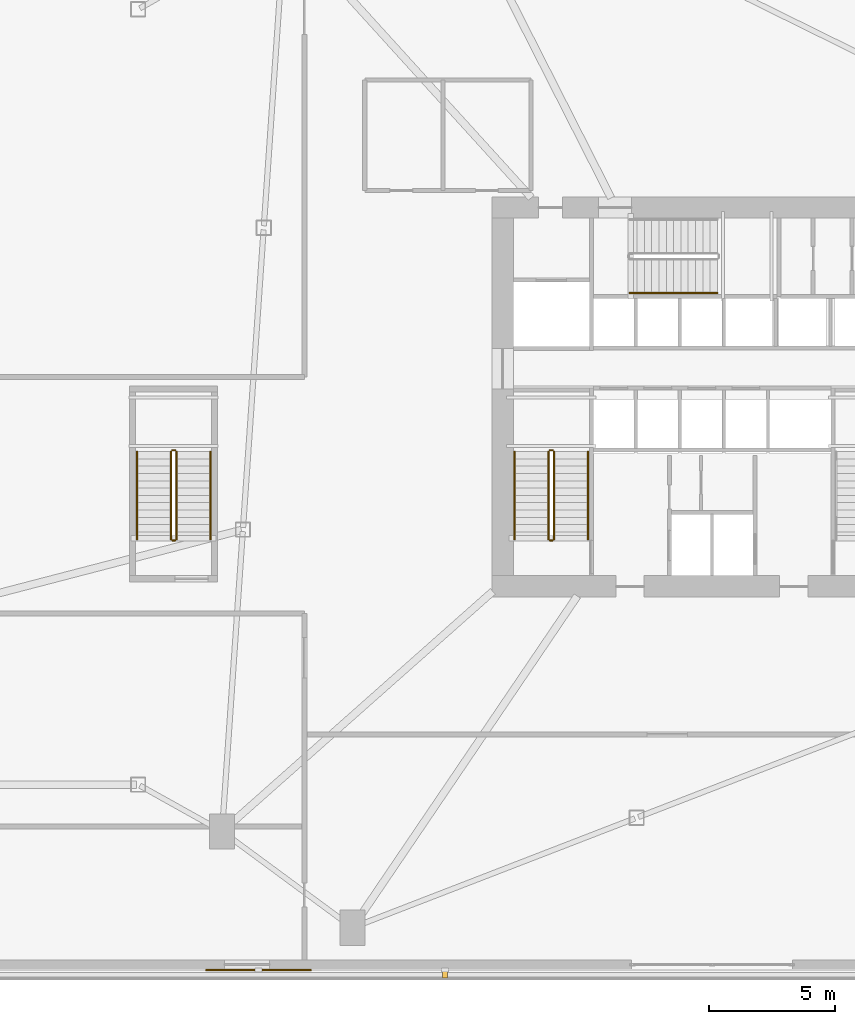
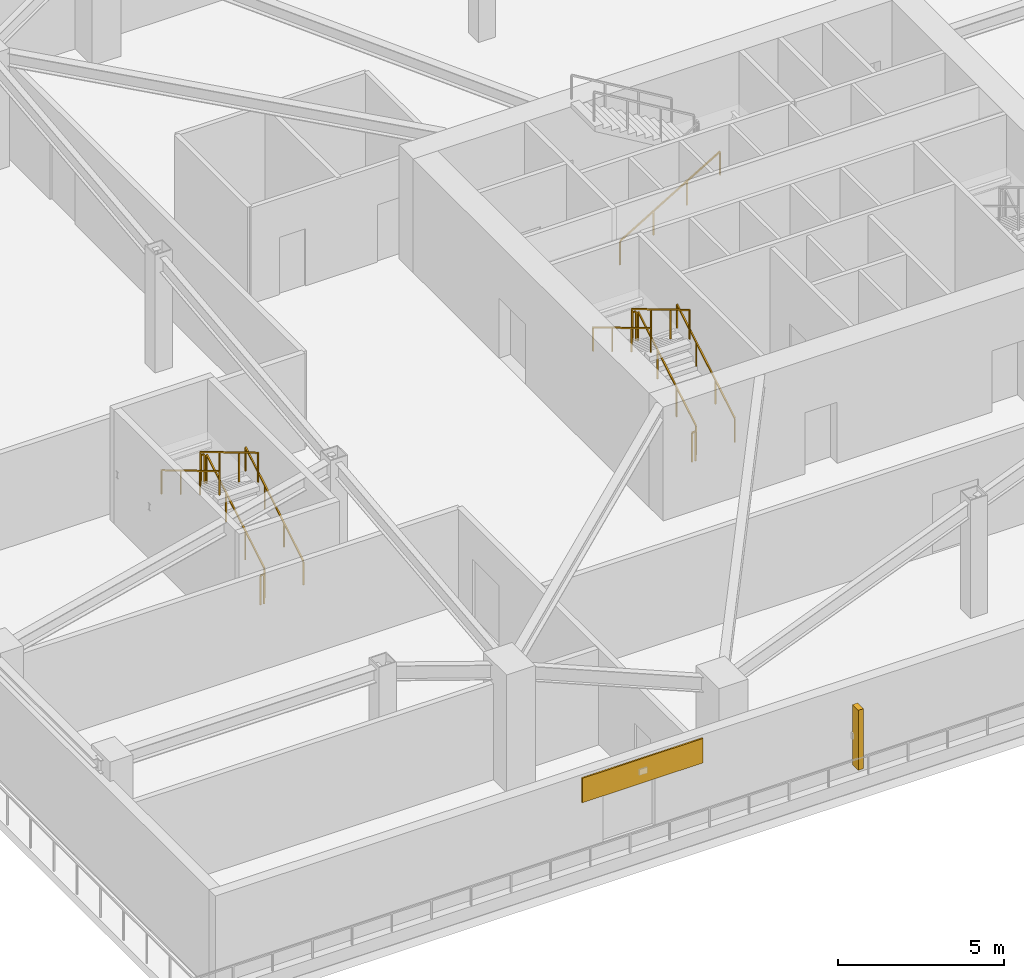
# One storey, part 12 of 16: 13 railings, 1 covering, 1 shading device.
"""IFC4 building model written with IfcOpenShell, lengths in metres."""

import ifcopenshell
import ifcopenshell.guid

model = None  # the IFC model being written
_history = None  # IfcOwnerHistory: only IFC2X3 demands one
_inside = {}  # id of a spatial element -> (the spatial element, [elements in it])
_under = {}  # id of a project, library or spatial element -> (it, [spatial elements below it])
_declared = {}  # id of a project -> (the project, [libraries it declares])
_typed = {}  # id of a type object -> (the type object, [elements of that type])
_made_of = {}  # id of a material, layer set ... -> (it, [elements and type objects made of it])


def new_model(schema):
    """Start an empty IFC model of exactly this schema.

    Asked for "IFC4X3", IfcOpenShell would pick the latest addendum, in which some entities
    have other attributes; the version numbers below select the first issue.
    IFC2X3 requires an IfcOwnerHistory on every rooted entity: one is made here for all.
    """
    global model, _history
    if schema == "IFC4X3":
        model = ifcopenshell.file(schema_version=(4, 3, 0, 0))
    else:
        model = ifcopenshell.file(schema=schema)
    _inside.clear()
    _under.clear()
    _declared.clear()
    _typed.clear()
    _made_of.clear()
    _history = None
    if model.schema == "IFC2X3":
        org = make("IfcOrganization", Name="unknown")
        user = make(
            "IfcPersonAndOrganization",
            ThePerson=make("IfcPerson", FamilyName="unknown"),
            TheOrganization=org,
        )
        app = make(
            "IfcApplication",
            ApplicationDeveloper=org,
            Version="unknown",
            ApplicationFullName="unknown",
            ApplicationIdentifier="unknown",
        )
        _history = make(
            "IfcOwnerHistory",
            OwningUser=user,
            OwningApplication=app,
            ChangeAction="ADDED",
            CreationDate=0,
        )
    return model


def make(cls, **values):
    """One entity of the class cls with the attributes given. An attribute that is None is left unset."""
    return model.create_entity(
        cls, **{name: value for name, value in values.items() if value is not None}
    )


def rooted(cls, **values):
    """An entity with a GlobalId (a new one), such as an element, a storey or a relation."""
    return make(cls, GlobalId=ifcopenshell.guid.new(), OwnerHistory=_history, **values)


def si_unit(unit_type, name, prefix=None):
    """IfcSIUnit, for example si_unit("LENGTHUNIT", "METRE", prefix="MILLI")."""
    return make("IfcSIUnit", UnitType=unit_type, Prefix=prefix, Name=name)


def assignment(units):
    """IfcUnitAssignment: the units of a project."""
    return None if units is None else make("IfcUnitAssignment", Units=units)


def point(xyz):
    """IfcCartesianPoint."""
    return None if xyz is None else make("IfcCartesianPoint", Coordinates=xyz)


def direction(xyz):
    """IfcDirection."""
    return None if xyz is None else make("IfcDirection", DirectionRatios=xyz)


def frame(location, z_axis=None, x_axis=None):
    """IfcAxis2Placement3D, a coordinate frame: its origin and axes. An axis left out is left unset."""
    return make(
        "IfcAxis2Placement3D",
        Location=point(location),
        Axis=direction(z_axis),
        RefDirection=direction(x_axis),
    )


def frame_2d(location, x_axis=None):
    """IfcAxis2Placement2D, a coordinate frame in the plane: its origin and x axis."""
    return make(
        "IfcAxis2Placement2D", Location=point(location), RefDirection=direction(x_axis)
    )


def origin():
    """The frame at (0, 0, 0) with its axes left unset."""
    return frame((0.0, 0.0, 0.0))


def origin_2d():
    """The frame at (0, 0) in the plane with its x axis left unset."""
    return frame_2d((0.0, 0.0))


def place(relative_to, where):
    """IfcLocalPlacement: puts the frame where relative to a parent placement (None: the world)."""
    return make(
        "IfcLocalPlacement", PlacementRelTo=relative_to, RelativePlacement=where
    )


def context(
    kind, dimensions, precision=None, world=None, true_north=None, identifier=None
):
    """IfcGeometricRepresentationContext, for example the 3D "Model" context."""
    return make(
        "IfcGeometricRepresentationContext",
        ContextIdentifier=identifier,
        ContextType=kind,
        CoordinateSpaceDimension=dimensions,
        Precision=precision,
        WorldCoordinateSystem=world,
        TrueNorth=true_north,
    )


def subcontext(parent, identifier, kind, view, scale=None):
    """IfcGeometricRepresentationSubContext, for example "Body" below "Model"."""
    return make(
        "IfcGeometricRepresentationSubContext",
        ContextIdentifier=identifier,
        ContextType=kind,
        ParentContext=parent,
        TargetScale=scale,
        TargetView=view,
    )


def project(units=None, contexts=None):
    """IfcProject with its units and contexts."""
    return rooted(
        "IfcProject",
        Name="project",
        RepresentationContexts=contexts,
        UnitsInContext=assignment(units),
    )


def spatial(cls, under=None, at=None, **own):
    """A site, building, storey or space (cls), placed at a placement, below another one or the project."""
    s = rooted(cls, ObjectPlacement=at, **own)
    if under is not None:
        _under.setdefault(under.id(), (under, []))[1].append(s)
    return s


def profile(cls, at=None, kind="AREA", **sizes):
    """A parametric profile (cls). Its sizes go by their IFC names, for example OverallWidth=200.0."""
    return make(cls, ProfileType=kind, Position=at, **sizes)


def rectangle(**sizes):
    """IfcRectangleProfileDef."""
    return profile("IfcRectangleProfileDef", **sizes)


def extrude(swept, where, along, depth):
    """IfcExtrudedAreaSolid: the profile swept, set in the frame where, extruded along a direction by depth."""
    return make(
        "IfcExtrudedAreaSolid",
        SweptArea=swept,
        Position=where,
        ExtrudedDirection=direction(along),
        Depth=depth,
    )


def shape(context_of_items, identifier, shape_type, items):
    """IfcShapeRepresentation: the items that make up one representation, for example the "Body"."""
    return make(
        "IfcShapeRepresentation",
        ContextOfItems=context_of_items,
        RepresentationIdentifier=identifier,
        RepresentationType=shape_type,
        Items=items,
    )


def source(mapping_origin, context_of_items, identifier, shape_type, items):
    """IfcRepresentationMap: a shape defined once, which mapped items show again and again."""
    return make(
        "IfcRepresentationMap",
        MappingOrigin=mapping_origin,
        MappedRepresentation=shape(context_of_items, identifier, shape_type, items),
    )


def transform(
    local_origin,
    x_axis=None,
    y_axis=None,
    z_axis=None,
    scale=None,
    scale2=None,
    scale3=None,
    uniform=True,
):
    """IfcCartesianTransformationOperator3D, or its non-uniform kind. x_axis, y_axis, z_axis: its Axis1, 2, 3."""
    if uniform:
        return make(
            "IfcCartesianTransformationOperator3D",
            Axis1=direction(x_axis),
            Axis2=direction(y_axis),
            LocalOrigin=point(local_origin),
            Scale=scale,
            Axis3=direction(z_axis),
        )
    return make(
        "IfcCartesianTransformationOperator3DnonUniform",
        Axis1=direction(x_axis),
        Axis2=direction(y_axis),
        LocalOrigin=point(local_origin),
        Scale=scale,
        Axis3=direction(z_axis),
        Scale2=scale2,
        Scale3=scale3,
    )


def mapped(mapping_source, mapping_target):
    """IfcMappedItem: shows the shape of a source again, moved by a transform."""
    return make(
        "IfcMappedItem", MappingSource=mapping_source, MappingTarget=mapping_target
    )


def material(Name=None, Category=None):
    """IfcMaterial."""
    return make("IfcMaterial", Name=Name, Category=Category)


def layer(
    of_material, thickness, ventilated=None, Name=None, Category=None, Priority=None
):
    """IfcMaterialLayer: one layer of a wall or slab, of a material (None: an air gap)."""
    return make(
        "IfcMaterialLayer",
        Material=of_material,
        LayerThickness=thickness,
        IsVentilated=ventilated,
        Name=Name,
        Category=Category,
        Priority=Priority,
    )


def layer_set(layers, Name=None):
    """IfcMaterialLayerSet."""
    return make("IfcMaterialLayerSet", MaterialLayers=layers, LayerSetName=Name)


def made_of(thing, what):
    """Note that an element or type object is made of a material, layer set ...; save() writes the relation."""
    if what is not None:
        _made_of.setdefault(what.id(), (what, []))[1].append(thing)
    return thing


def type_object(cls, material=None, **own):
    """A type object (cls), such as IfcWallType, which elements share."""
    return made_of(rooted(cls, **own), material)


def element(
    cls,
    number,
    at=None,
    inside=None,
    cuts=None,
    type_object=None,
    material=None,
    context=None,
    identifier="Body",
    shape_type=None,
    held_by="IfcProductDefinitionShape",
    body=None,
    shapes=None,
    **own,
):
    """One element of the class cls, such as IfcWall. Its Tag is "e" and its number.

    at: its placement. inside: the storey or other place that contains it. cuts: it is an
    opening in that element (IfcRelVoidsElement). A single representation is given by context,
    identifier, shape_type and body (its items); several are given by shapes. held_by: the class
    of the entity that holds the representations. save() writes the other relations.
    """
    e = rooted(cls, Tag="e%d" % number, ObjectPlacement=at, **own)
    if body is not None:
        shapes = [shape(context, identifier, shape_type, body)]
    if shapes is not None:
        e.Representation = make(held_by, Representations=shapes)
    if inside is not None:
        _inside.setdefault(inside.id(), (inside, []))[1].append(e)
    if cuts is not None:
        rooted(
            "IfcRelVoidsElement", RelatingBuildingElement=cuts, RelatedOpeningElement=e
        )
    if type_object is not None:
        _typed.setdefault(type_object.id(), (type_object, []))[1].append(e)
    return made_of(e, material)


def aggregate(whole, parts):
    """IfcRelAggregates: a whole, such as a stair, and the parts it consists of."""
    return rooted("IfcRelAggregates", RelatingObject=whole, RelatedObjects=parts)


def save(model, path):
    """Write the relations noted so far, then the file.

    IfcRelAggregates (storeys below a building ...), IfcRelContainedInSpatialStructure (elements
    in a storey), IfcRelDefinesByType, IfcRelAssociatesMaterial and IfcRelDeclares: one each for
    every whole, place, type object, material and project.
    """
    for whole, parts in _under.values():
        aggregate(whole, parts)
    for where, things in _inside.values():
        rooted(
            "IfcRelContainedInSpatialStructure",
            RelatedElements=things,
            RelatingStructure=where,
        )
    for kind, things in _typed.values():
        rooted("IfcRelDefinesByType", RelatedObjects=things, RelatingType=kind)
    for what, things in _made_of.values():
        rooted("IfcRelAssociatesMaterial", RelatedObjects=things, RelatingMaterial=what)
    for by, libraries in _declared.values():
        rooted("IfcRelDeclares", RelatingContext=by, RelatedDefinitions=libraries)
    model.write(path)


model = new_model("IFC4")

# Units and contexts
model_context = context("Model", 3, precision=1e-05, world=origin(), true_north=direction((0.0, 1.0)))
body_context = subcontext(model_context, "Body", "Model", "MODEL_VIEW")
ifc_project = project(units=[si_unit("LENGTHUNIT", "METRE"), si_unit("AREAUNIT", "SQUARE_METRE"), si_unit("VOLUMEUNIT", "CUBIC_METRE"), si_unit("PLANEANGLEUNIT", "RADIAN"), si_unit("MASSUNIT", "GRAM", prefix="KILO")], contexts=[model_context])

# Site, building, storey
site_placement = place(None, origin())
site = spatial("IfcSite", under=ifc_project, at=site_placement, CompositionType="ELEMENT")
building_placement = place(site_placement, origin())
building = spatial("IfcBuilding", under=site, at=building_placement, Name="Olszyna Solenne Hotel", CompositionType="ELEMENT")
storey_placement = place(building_placement, frame((0.0, 0.0, 15.60009765625)))
storey = spatial("IfcBuildingStorey", under=building, at=storey_placement, Name="L03", CompositionType="ELEMENT", Elevation=15.60009765625)

# Railings
ifc_material_1 = material(Name="Anodised bronze aluminium", Category="aluminium")
railing_type_1 = type_object("IfcRailingType", Name="GR-110", PredefinedType="BALUSTRADE", material=ifc_material_1)
railing_1_placement = place(storey_placement, frame((31.719970703125, 20.949951171875, 0.173095703125)))
element("IfcRailing", 1, at=railing_1_placement, inside=storey, type_object=railing_type_1, Name="L03 ST1 stair guard 1", PredefinedType="BALUSTRADE", context=body_context, shape_type="SweptSolid", body=[
    extrude(rectangle(XDim=0.048095703125, YDim=0.048095703125, at=origin_2d()), frame((0.0, 0.0, 1.076171875), z_axis=(0.0, 0.858697190188, 0.512483302717), x_axis=(-1.0, 0.0, 0.0)), (0.0, 0.0, 1.0), 4.052734375),
    extrude(rectangle(XDim=0.0419921875, YDim=0.0419921875, at=origin_2d()), origin(), (0.0, 0.0, 1.0), 1.052001953125),
    extrude(rectangle(XDim=0.0419921875, YDim=0.0419921875, at=origin_2d()), frame((0.0, 1.159912109375, 0.6923828125)), (0.0, 0.0, 1.0), 1.052001953125),
    extrude(rectangle(XDim=0.0419921875, YDim=0.0419921875, at=origin_2d()), frame((0.0, 2.320068359375, 1.384521484375)), (0.0, 0.0, 1.0), 1.052001953125),
    extrude(rectangle(XDim=0.0419921875, YDim=0.0419921875, at=origin_2d()), frame((0.0, 3.47998046875, 2.076904296875)), (0.0, 0.0, 1.0), 1.052001953125),
])
railing_2_placement = place(storey_placement, frame((31.669921875, 24.47998046875, 2.25)))
element("IfcRailing", 2, at=railing_2_placement, inside=storey, type_object=railing_type_1, Name="L03 ST1 stair guard 2", PredefinedType="BALUSTRADE", context=body_context, shape_type="SweptSolid", body=[
    extrude(rectangle(XDim=0.048095703125, YDim=0.048095703125, at=origin_2d()), frame((0.0, 0.0, 1.076171875), z_axis=(-1.0, 0.0, 0.0), x_axis=(0.0, -1.0, 0.0)), (0.0, 0.0, 1.0), 0.119873046875),
    extrude(rectangle(XDim=0.0419921875, YDim=0.0419921875, at=origin_2d()), origin(), (0.0, 0.0, 1.0), 1.052001953125),
    extrude(rectangle(XDim=0.0419921875, YDim=0.0419921875, at=origin_2d()), frame((-0.119873046875, 0.0, 0.0)), (0.0, 0.0, 1.0), 1.052001953125),
])
railing_3_placement = place(storey_placement, frame((31.5, 24.429931640625, 2.423095703125)))
element("IfcRailing", 3, at=railing_3_placement, inside=storey, type_object=railing_type_1, Name="L03 ST1 stair guard 3", PredefinedType="BALUSTRADE", context=body_context, shape_type="SweptSolid", body=[
    extrude(rectangle(XDim=0.048095703125, YDim=0.048095703125, at=origin_2d()), frame((0.0, 0.0, 1.076171875), z_axis=(0.0, -0.858697190188, 0.512483302717), x_axis=(1.0, 0.0, 0.0)), (0.0, 0.0, 1.0), 4.052734375),
    extrude(rectangle(XDim=0.0419921875, YDim=0.0419921875, at=origin_2d()), origin(), (0.0, 0.0, 1.0), 1.052001953125),
    extrude(rectangle(XDim=0.0419921875, YDim=0.0419921875, at=origin_2d()), frame((0.0, -1.159912109375, 0.6923828125)), (0.0, 0.0, 1.0), 1.052001953125),
    extrude(rectangle(XDim=0.0419921875, YDim=0.0419921875, at=origin_2d()), frame((0.0, -2.320068359375, 1.384521484375)), (0.0, 0.0, 1.0), 1.052001953125),
    extrude(rectangle(XDim=0.0419921875, YDim=0.0419921875, at=origin_2d()), frame((0.0, -3.47998046875, 2.076904296875)), (0.0, 0.0, 1.0), 1.052001953125),
])
railing_4_placement = place(storey_placement, frame((31.669921875, 20.89990234375, 0.0)))
element("IfcRailing", 4, at=railing_4_placement, inside=storey, type_object=railing_type_1, Name="L03 ST1 stair guard 4", PredefinedType="BALUSTRADE", context=body_context, shape_type="SweptSolid", body=[
    extrude(rectangle(XDim=0.048095703125, YDim=0.048095703125, at=origin_2d()), frame((0.0, 0.0, 1.076171875), z_axis=(-1.0, 0.0, 0.0), x_axis=(0.0, -1.0, 0.0)), (0.0, 0.0, 1.0), 0.119873046875),
    extrude(rectangle(XDim=0.0419921875, YDim=0.0419921875, at=origin_2d()), origin(), (0.0, 0.0, 1.0), 1.052001953125),
    extrude(rectangle(XDim=0.0419921875, YDim=0.0419921875, at=origin_2d()), frame((-0.119873046875, 0.0, 0.0)), (0.0, 0.0, 1.0), 1.052001953125),
])
railing_5_placement = place(storey_placement, frame((16.719970703125, 20.949951171875, 0.173095703125)))
element("IfcRailing", 5, at=railing_5_placement, inside=storey, type_object=railing_type_1, Name="L03 ST4 stair guard 1", PredefinedType="BALUSTRADE", context=body_context, shape_type="SweptSolid", body=[
    extrude(rectangle(XDim=0.048095703125, YDim=0.048095703125, at=origin_2d()), frame((0.0, 0.0, 1.076171875), z_axis=(0.0, 0.858697190188, 0.512483302717), x_axis=(-1.0, 0.0, 0.0)), (0.0, 0.0, 1.0), 4.052734375),
    extrude(rectangle(XDim=0.0419921875, YDim=0.0419921875, at=origin_2d()), origin(), (0.0, 0.0, 1.0), 1.052001953125),
    extrude(rectangle(XDim=0.0419921875, YDim=0.0419921875, at=origin_2d()), frame((0.0, 1.159912109375, 0.6923828125)), (0.0, 0.0, 1.0), 1.052001953125),
    extrude(rectangle(XDim=0.0419921875, YDim=0.0419921875, at=origin_2d()), frame((0.0, 2.320068359375, 1.384521484375)), (0.0, 0.0, 1.0), 1.052001953125),
    extrude(rectangle(XDim=0.0419921875, YDim=0.0419921875, at=origin_2d()), frame((0.0, 3.47998046875, 2.076904296875)), (0.0, 0.0, 1.0), 1.052001953125),
])
railing_6_placement = place(storey_placement, frame((16.669921875, 24.47998046875, 2.25)))
element("IfcRailing", 6, at=railing_6_placement, inside=storey, type_object=railing_type_1, Name="L03 ST4 stair guard 2", PredefinedType="BALUSTRADE", context=body_context, shape_type="SweptSolid", body=[
    extrude(rectangle(XDim=0.048095703125, YDim=0.048095703125, at=origin_2d()), frame((0.0, 0.0, 1.076171875), z_axis=(-1.0, 0.0, 0.0), x_axis=(0.0, -1.0, 0.0)), (0.0, 0.0, 1.0), 0.119873046875),
    extrude(rectangle(XDim=0.0419921875, YDim=0.0419921875, at=origin_2d()), origin(), (0.0, 0.0, 1.0), 1.052001953125),
    extrude(rectangle(XDim=0.0419921875, YDim=0.0419921875, at=origin_2d()), frame((-0.119873046875, 0.0, 0.0)), (0.0, 0.0, 1.0), 1.052001953125),
])
railing_7_placement = place(storey_placement, frame((16.5, 24.429931640625, 2.423095703125)))
element("IfcRailing", 7, at=railing_7_placement, inside=storey, type_object=railing_type_1, Name="L03 ST4 stair guard 3", PredefinedType="BALUSTRADE", context=body_context, shape_type="SweptSolid", body=[
    extrude(rectangle(XDim=0.048095703125, YDim=0.048095703125, at=origin_2d()), frame((0.0, 0.0, 1.076171875), z_axis=(0.0, -0.858697190188, 0.512483302717), x_axis=(1.0, 0.0, 0.0)), (0.0, 0.0, 1.0), 4.052734375),
    extrude(rectangle(XDim=0.0419921875, YDim=0.0419921875, at=origin_2d()), origin(), (0.0, 0.0, 1.0), 1.052001953125),
    extrude(rectangle(XDim=0.0419921875, YDim=0.0419921875, at=origin_2d()), frame((0.0, -1.159912109375, 0.6923828125)), (0.0, 0.0, 1.0), 1.052001953125),
    extrude(rectangle(XDim=0.0419921875, YDim=0.0419921875, at=origin_2d()), frame((0.0, -2.320068359375, 1.384521484375)), (0.0, 0.0, 1.0), 1.052001953125),
    extrude(rectangle(XDim=0.0419921875, YDim=0.0419921875, at=origin_2d()), frame((0.0, -3.47998046875, 2.076904296875)), (0.0, 0.0, 1.0), 1.052001953125),
])
railing_8_placement = place(storey_placement, frame((16.669921875, 20.89990234375, 0.0)))
element("IfcRailing", 8, at=railing_8_placement, inside=storey, type_object=railing_type_1, Name="L03 ST4 stair guard 4", PredefinedType="BALUSTRADE", context=body_context, shape_type="SweptSolid", body=[
    extrude(rectangle(XDim=0.048095703125, YDim=0.048095703125, at=origin_2d()), frame((0.0, 0.0, 1.076171875), z_axis=(-1.0, 0.0, 0.0), x_axis=(0.0, -1.0, 0.0)), (0.0, 0.0, 1.0), 0.119873046875),
    extrude(rectangle(XDim=0.0419921875, YDim=0.0419921875, at=origin_2d()), origin(), (0.0, 0.0, 1.0), 1.052001953125),
    extrude(rectangle(XDim=0.0419921875, YDim=0.0419921875, at=origin_2d()), frame((-0.119873046875, 0.0, 0.0)), (0.0, 0.0, 1.0), 1.052001953125),
])
ifc_material_2 = material(Name="Steel S355J2", Category="steel")
railing_type_2 = type_object("IfcRailingType", Name="HR-090", PredefinedType="HANDRAIL", material=ifc_material_2)
railing_9_placement = place(storey_placement, frame((33.070068359375, 20.949951171875, 0.173095703125)))
element("IfcRailing", 9, at=railing_9_placement, inside=storey, type_object=railing_type_2, Name="L03 ST1 stair handrail 1", PredefinedType="HANDRAIL", context=body_context, shape_type="SweptSolid", body=[
    extrude(rectangle(XDim=0.048095703125, YDim=0.048095703125, at=origin_2d()), frame((0.0, 0.0, 0.8759765625), z_axis=(0.0, 0.858697190188, 0.512483302717), x_axis=(-1.0, 0.0, 0.0)), (0.0, 0.0, 1.0), 4.052734375),
    extrude(rectangle(XDim=0.0419921875, YDim=0.0419921875, at=origin_2d()), origin(), (0.0, 0.0, 1.0), 0.851806640625),
    extrude(rectangle(XDim=0.0419921875, YDim=0.0419921875, at=origin_2d()), frame((0.0, 1.159912109375, 0.6923828125)), (0.0, 0.0, 1.0), 0.851806640625),
    extrude(rectangle(XDim=0.0419921875, YDim=0.0419921875, at=origin_2d()), frame((0.0, 2.320068359375, 1.384521484375)), (0.0, 0.0, 1.0), 0.851806640625),
    extrude(rectangle(XDim=0.0419921875, YDim=0.0419921875, at=origin_2d()), frame((0.0, 3.47998046875, 2.076904296875)), (0.0, 0.0, 1.0), 0.851806640625),
])
railing_10_placement = place(storey_placement, frame((30.14990234375, 24.429931640625, 2.423095703125)))
element("IfcRailing", 10, at=railing_10_placement, inside=storey, type_object=railing_type_2, Name="L03 ST1 stair handrail 2", PredefinedType="HANDRAIL", context=body_context, shape_type="SweptSolid", body=[
    extrude(rectangle(XDim=0.048095703125, YDim=0.048095703125, at=origin_2d()), frame((0.0, 0.0, 0.8759765625), z_axis=(0.0, -0.858697190188, 0.512483302717), x_axis=(1.0, 0.0, 0.0)), (0.0, 0.0, 1.0), 4.052734375),
    extrude(rectangle(XDim=0.0419921875, YDim=0.0419921875, at=origin_2d()), origin(), (0.0, 0.0, 1.0), 0.851806640625),
    extrude(rectangle(XDim=0.0419921875, YDim=0.0419921875, at=origin_2d()), frame((0.0, -1.159912109375, 0.6923828125)), (0.0, 0.0, 1.0), 0.851806640625),
    extrude(rectangle(XDim=0.0419921875, YDim=0.0419921875, at=origin_2d()), frame((0.0, -2.320068359375, 1.384521484375)), (0.0, 0.0, 1.0), 0.851806640625),
    extrude(rectangle(XDim=0.0419921875, YDim=0.0419921875, at=origin_2d()), frame((0.0, -3.47998046875, 2.076904296875)), (0.0, 0.0, 1.0), 0.851806640625),
])
railing_11_placement = place(storey_placement, frame((34.72998046875, 30.72998046875, 0.173095703125)))
element("IfcRailing", 11, at=railing_11_placement, inside=storey, type_object=railing_type_2, Name="L03 ST3 stair handrail 1", PredefinedType="HANDRAIL", context=body_context, shape_type="SweptSolid", body=[
    extrude(rectangle(XDim=0.048095703125, YDim=0.048095703125, at=origin_2d()), frame((0.0, 0.0, 0.8759765625), z_axis=(0.858697190188, 0.0, 0.512483302717), x_axis=(0.0, 1.0, 0.0)), (0.0, 0.0, 1.0), 4.052734375),
    extrude(rectangle(XDim=0.0419921875, YDim=0.0419921875, at=origin_2d()), origin(), (0.0, 0.0, 1.0), 0.851806640625),
    extrude(rectangle(XDim=0.0419921875, YDim=0.0419921875, at=origin_2d()), frame((1.159912109375, 0.0, 0.6923828125)), (0.0, 0.0, 1.0), 0.851806640625),
    extrude(rectangle(XDim=0.0419921875, YDim=0.0419921875, at=origin_2d()), frame((2.320068359375, 0.0, 1.384521484375)), (0.0, 0.0, 1.0), 0.851806640625),
    extrude(rectangle(XDim=0.0419921875, YDim=0.0419921875, at=origin_2d()), frame((3.47998046875, 0.0, 2.076904296875)), (0.0, 0.0, 1.0), 0.851806640625),
])
railing_12_placement = place(storey_placement, frame((18.070068359375, 20.949951171875, 0.173095703125)))
element("IfcRailing", 12, at=railing_12_placement, inside=storey, type_object=railing_type_2, Name="L03 ST4 stair handrail 1", PredefinedType="HANDRAIL", context=body_context, shape_type="SweptSolid", body=[
    extrude(rectangle(XDim=0.048095703125, YDim=0.048095703125, at=origin_2d()), frame((0.0, 0.0, 0.8759765625), z_axis=(0.0, 0.858697190188, 0.512483302717), x_axis=(-1.0, 0.0, 0.0)), (0.0, 0.0, 1.0), 4.052734375),
    extrude(rectangle(XDim=0.0419921875, YDim=0.0419921875, at=origin_2d()), origin(), (0.0, 0.0, 1.0), 0.851806640625),
    extrude(rectangle(XDim=0.0419921875, YDim=0.0419921875, at=origin_2d()), frame((0.0, 1.159912109375, 0.6923828125)), (0.0, 0.0, 1.0), 0.851806640625),
    extrude(rectangle(XDim=0.0419921875, YDim=0.0419921875, at=origin_2d()), frame((0.0, 2.320068359375, 1.384521484375)), (0.0, 0.0, 1.0), 0.851806640625),
    extrude(rectangle(XDim=0.0419921875, YDim=0.0419921875, at=origin_2d()), frame((0.0, 3.47998046875, 2.076904296875)), (0.0, 0.0, 1.0), 0.851806640625),
])
railing_13_placement = place(storey_placement, frame((15.14990234375, 24.429931640625, 2.423095703125)))
element("IfcRailing", 13, at=railing_13_placement, inside=storey, type_object=railing_type_2, Name="L03 ST4 stair handrail 2", PredefinedType="HANDRAIL", context=body_context, shape_type="SweptSolid", body=[
    extrude(rectangle(XDim=0.048095703125, YDim=0.048095703125, at=origin_2d()), frame((0.0, 0.0, 0.8759765625), z_axis=(0.0, -0.858697190188, 0.512483302717), x_axis=(1.0, 0.0, 0.0)), (0.0, 0.0, 1.0), 4.052734375),
    extrude(rectangle(XDim=0.0419921875, YDim=0.0419921875, at=origin_2d()), origin(), (0.0, 0.0, 1.0), 0.851806640625),
    extrude(rectangle(XDim=0.0419921875, YDim=0.0419921875, at=origin_2d()), frame((0.0, -1.159912109375, 0.6923828125)), (0.0, 0.0, 1.0), 0.851806640625),
    extrude(rectangle(XDim=0.0419921875, YDim=0.0419921875, at=origin_2d()), frame((0.0, -2.320068359375, 1.384521484375)), (0.0, 0.0, 1.0), 0.851806640625),
    extrude(rectangle(XDim=0.0419921875, YDim=0.0419921875, at=origin_2d()), frame((0.0, -3.47998046875, 2.076904296875)), (0.0, 0.0, 1.0), 0.851806640625),
])

# Covering
ifc_material_3 = material(Name="Terracotta cladding", Category="masonry")
ifc_layer = layer(ifc_material_3, 0.054931640625, Name="Terracotta cladding")
ifc_layer_set = layer_set([ifc_layer], Name="Terracotta cladding")
covering_type = type_object("IfcCoveringType", Name="CD-TC1", PredefinedType="CLADDING", material=ifc_layer_set)
shared_shape_1 = source(origin(), body_context, "Body", "SweptSolid", [
    extrude(rectangle(XDim=4.199951171875, YDim=0.054931640625, at=origin_2d()), origin(), (0.0, 0.0, 1.0), 0.89990234375),
])
covering_placement = place(storey_placement, frame((19.97509765625, 3.83740234375, 2.6220703125), z_axis=(0.0, 0.0, 1.0), x_axis=(-1.0, 0.0, 0.0)))
element("IfcCovering", 14, at=covering_placement, inside=storey, type_object=covering_type, Name="Fluted terracotta rainscreen band CD-L03-SW", PredefinedType="CLADDING", context=body_context, shape_type="MappedRepresentation", body=[
    mapped(shared_shape_1, transform((0.0, 0.0, 0.0), x_axis=(1.0, 0.0, 0.0), y_axis=(0.0, 1.0, 0.0), z_axis=(0.0, 0.0, 1.0), scale=1.0)),
])

# Shading device
shading_device_type = type_object("IfcShadingDeviceType", Name="SH-FN1", PredefinedType="USERDEFINED", material=ifc_material_3)
shared_shape_2 = source(origin(), body_context, "Body", "SweptSolid", [
    extrude(rectangle(XDim=0.179931640625, YDim=0.35009765625, at=origin_2d()), origin(), (0.0, 0.0, 1.0), 2.199951171875),
])
shading_device_placement = place(storey_placement, frame((27.387451171875, 3.68994140625, 0.69970703125), z_axis=(0.0, 0.0, 1.0), x_axis=(-1.0, 0.0, 0.0)))
element("IfcShadingDevice", 15, at=shading_device_placement, inside=storey, type_object=shading_device_type, Name="Vertical terracotta facade fin FN-L03-SW", ObjectType="FIN", PredefinedType="USERDEFINED", context=body_context, shape_type="MappedRepresentation", body=[
    mapped(shared_shape_2, transform((0.0, 0.0, 0.0), x_axis=(1.0, 0.0, 0.0), y_axis=(0.0, 1.0, 0.0), z_axis=(0.0, 0.0, 1.0), scale=1.0)),
])

save(model, "model.ifc")
